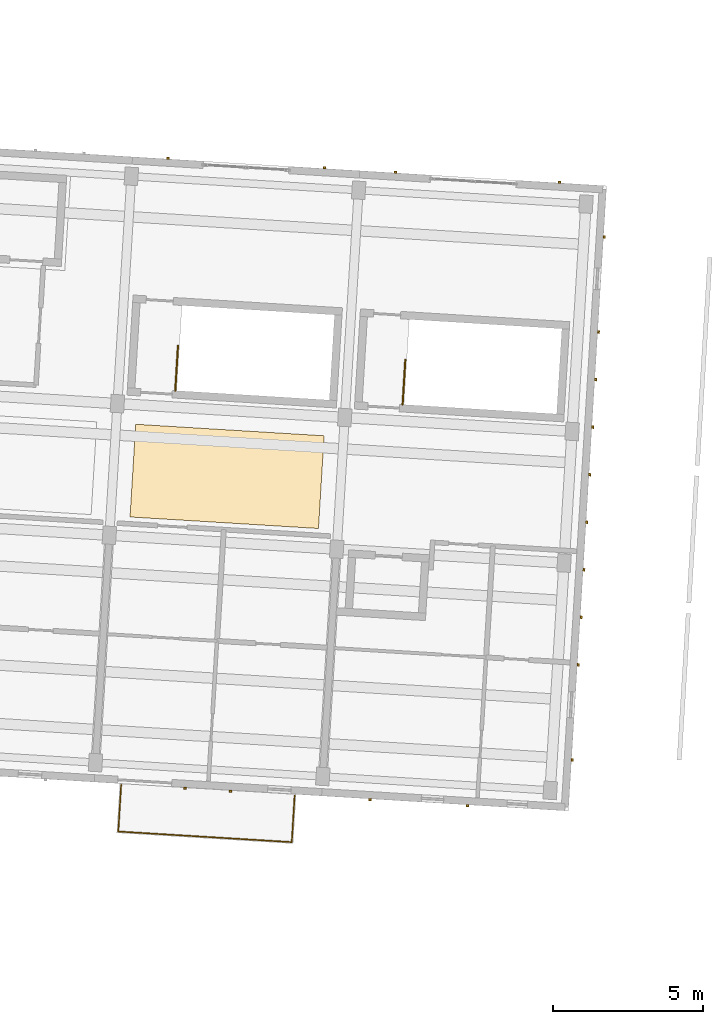
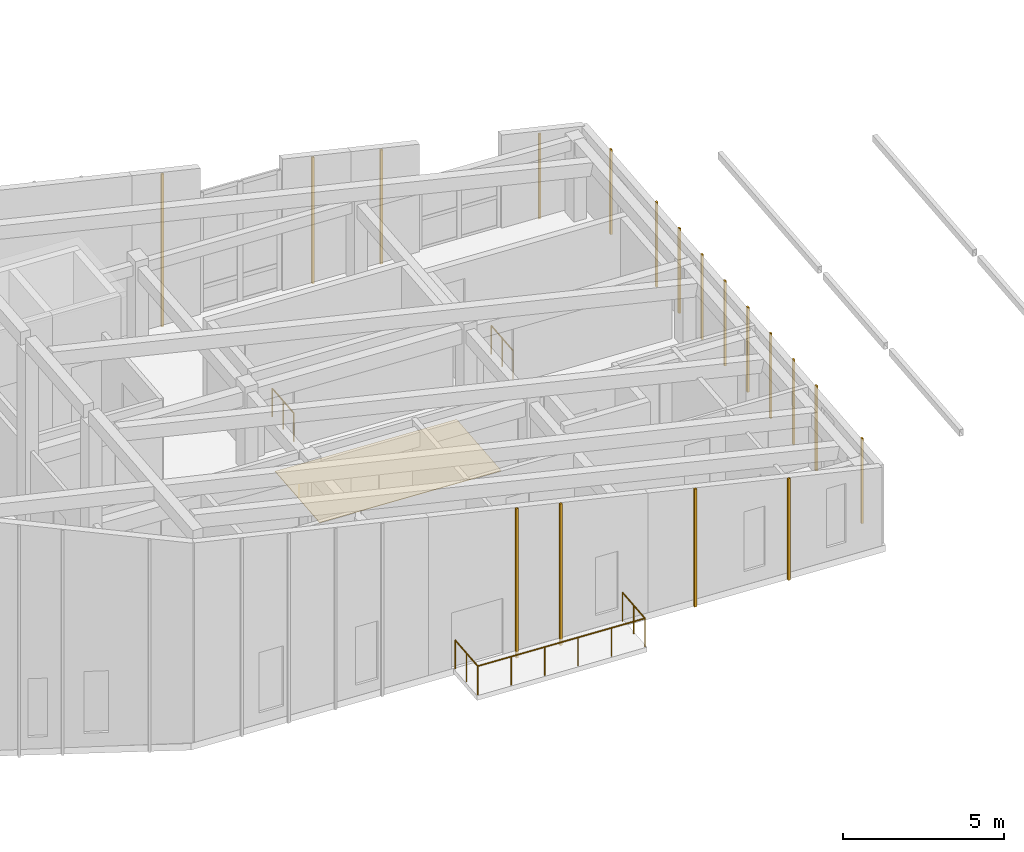
# One storey, part 38 of 45: 19 coverings, 3 railings.
"""IFC4 building model written with IfcOpenShell, lengths in metres."""

from ifc_helpers import new_model, si_unit, direction, frame, origin, origin_2d, place, context, subcontext, project, spatial, polyline, rectangle, circle, outline, extrude, material, layer, layer_set, type_object, element, save


model = new_model("IFC4")

# Units and contexts
model_context = context("Model", 3, precision=1e-05, world=origin(), true_north=direction((0.0, 1.0)))
body_context = subcontext(model_context, "Body", "Model", "MODEL_VIEW")
ifc_project = project(units=[si_unit("LENGTHUNIT", "METRE"), si_unit("AREAUNIT", "SQUARE_METRE"), si_unit("VOLUMEUNIT", "CUBIC_METRE"), si_unit("PLANEANGLEUNIT", "RADIAN"), si_unit("MASSUNIT", "GRAM", prefix="KILO")], contexts=[model_context])

# Site, building, storey
site_placement = place(None, origin())
site = spatial("IfcSite", under=ifc_project, at=site_placement, CompositionType="ELEMENT")
building_placement = place(site_placement, origin())
building = spatial("IfcBuilding", under=site, at=building_placement, Name="Kestramere Prow Commons", CompositionType="ELEMENT")
storey_placement = place(building_placement, frame((0.0, 0.0, 31.14990234375)))
storey = spatial("IfcBuildingStorey", under=building, at=storey_placement, Name="L09", CompositionType="ELEMENT", Elevation=31.14990234375)

# Coverings
ifc_material_1 = material(Name="Weathered Zinc-Titanium Standing-Seam Cladding")
ifc_layer_1 = layer(ifc_material_1, 0.074951171875)
ifc_layer_set_1 = layer_set([ifc_layer_1], Name="Weathered Zinc-Titanium Standing-Seam Cladding")
covering_type_1 = type_object("IfcCoveringType", Name="COV-CLAD-SEAM", PredefinedType="CLADDING", material=ifc_layer_set_1)
covering_1_placement = place(storey_placement, frame((71.595947265625, 45.081298828125, -0.25), z_axis=(0.0, 0.0, 1.0), x_axis=(-0.998134798422, 0.061048539535, 0.0)))
element("IfcCovering", 1, at=covering_1_placement, inside=storey, type_object=covering_type_1, Name="EW-C-L09-S-1 Standing-Seam Rib 2", PredefinedType="CLADDING", context=body_context, shape_type="SweptSolid", body=[
    extrude(rectangle(XDim=0.0849609375, YDim=0.06494140625, at=origin_2d()), origin(), (0.0, 0.0, 1.0), 5.370361328125),
])
covering_2_placement = place(storey_placement, frame((70.078857421875, 45.17431640625, -0.25), z_axis=(0.0, 0.0, 1.0), x_axis=(-0.998134798422, 0.061048539535, 0.0)))
element("IfcCovering", 2, at=covering_2_placement, inside=storey, type_object=covering_type_1, Name="EW-C-L09-S-1 Standing-Seam Rib 3", PredefinedType="CLADDING", context=body_context, shape_type="SweptSolid", body=[
    extrude(rectangle(XDim=0.0849609375, YDim=0.06494140625, at=origin_2d()), origin(), (0.0, 0.0, 1.0), 5.662841796875),
])
covering_3_placement = place(storey_placement, frame((79.49609375, 44.59814453125, -0.25), z_axis=(0.0, 0.0, 1.0), x_axis=(-0.998134798422, 0.061048539535, 0.0)))
element("IfcCovering", 3, at=covering_3_placement, inside=storey, type_object=covering_type_1, Name="EW-C-L09-S-2 Standing-Seam Rib 2", PredefinedType="CLADDING", context=body_context, shape_type="SweptSolid", body=[
    extrude(rectangle(XDim=0.0849609375, YDim=0.06494140625, at=origin_2d()), origin(), (0.0, 0.0, 1.0), 3.847412109375),
])
covering_4_placement = place(storey_placement, frame((76.252197265625, 44.796630859375, -0.25), z_axis=(0.0, 0.0, 1.0), x_axis=(-0.998134798422, 0.061048539535, 0.0)))
element("IfcCovering", 4, at=covering_4_placement, inside=storey, type_object=covering_type_1, Name="EW-C-L09-S-2 Standing-Seam Rib 4", PredefinedType="CLADDING", context=body_context, shape_type="SweptSolid", body=[
    extrude(rectangle(XDim=0.0849609375, YDim=0.06494140625, at=origin_2d()), origin(), (0.0, 0.0, 1.0), 4.47265625),
])
covering_5_placement = place(storey_placement, frame((69.509033203125, 66.203125, -0.25), z_axis=(0.0, 0.0, 1.0), x_axis=(0.998134798422, -0.061048539535, 0.0)))
element("IfcCovering", 5, at=covering_5_placement, inside=storey, type_object=covering_type_1, Name="EW-C-L09-NP-1-L Standing-Seam Rib 1", PredefinedType="CLADDING", context=body_context, shape_type="SweptSolid", body=[
    extrude(rectangle(XDim=0.0849609375, YDim=0.06494140625, at=origin_2d()), origin(), (0.0, 0.0, 1.0), 5.790771484375),
])
covering_6_placement = place(storey_placement, frame((74.724365234375, 65.88427734375, -0.25), z_axis=(0.0, 0.0, 1.0), x_axis=(0.998134798422, -0.061048539535, 0.0)))
element("IfcCovering", 6, at=covering_6_placement, inside=storey, type_object=covering_type_1, Name="EW-C-L09-NP-1-R Standing-Seam Rib 1", PredefinedType="CLADDING", context=body_context, shape_type="SweptSolid", body=[
    extrude(rectangle(XDim=0.0849609375, YDim=0.06494140625, at=origin_2d()), origin(), (0.0, 0.0, 1.0), 4.785400390625),
])
covering_7_placement = place(storey_placement, frame((77.094970703125, 65.7392578125, -0.25), z_axis=(0.0, 0.0, 1.0), x_axis=(0.998134798422, -0.061048539535, 0.0)))
element("IfcCovering", 7, at=covering_7_placement, inside=storey, type_object=covering_type_1, Name="EW-C-L09-NP-2-L Standing-Seam Rib 1", PredefinedType="CLADDING", context=body_context, shape_type="SweptSolid", body=[
    extrude(rectangle(XDim=0.0849609375, YDim=0.06494140625, at=origin_2d()), origin(), (0.0, 0.0, 1.0), 4.328369140625),
])
for number, where, z_axis, x_axis, name in (
    (8, (82.572021484375, 65.404296875, -0.25), (0.0, 0.0, 1.0), (0.998134798422, -0.061048539535, 0.0), "EW-C-L09-NP-2-R Standing-Seam Rib 1"),
    (9, (84.0654296875, 63.568603515625, -0.25), (0.0, 0.0, 1.0), (-0.061048539535, -0.998134798422, 0.0), "EW-C-L09-EAV Standing-Seam Rib 1"),
    (10, (83.871337890625, 60.397705078125, -0.25), (0.0, 0.0, 1.0), (-0.061048539535, -0.998134798422, 0.0), "EW-C-L09-EAV Standing-Seam Rib 3"),
    (11, (83.7744140625, 58.812255859375, -0.25), (0.0, 0.0, 1.0), (-0.061048539535, -0.998134798422, 0.0), "EW-C-L09-EAV Standing-Seam Rib 4"),
    (12, (83.677490234375, 57.226806640625, -0.25), (0.0, 0.0, 1.0), (-0.061048539535, -0.998134798422, 0.0), "EW-C-L09-EAV Standing-Seam Rib 5"),
    (13, (83.58056640625, 55.64111328125, -0.25), (0.0, 0.0, 1.0), (-0.061048539535, -0.998134798422, 0.0), "EW-C-L09-EAV Standing-Seam Rib 6"),
    (14, (83.4833984375, 54.0556640625, -0.25), (0.0, 0.0, 1.0), (-0.061048539535, -0.998134798422, 0.0), "EW-C-L09-EAV Standing-Seam Rib 7"),
    (15, (83.386474609375, 52.47021484375, -0.25), (0.0, 0.0, 1.0), (-0.061048539535, -0.998134798422, 0.0), "EW-C-L09-EAV Standing-Seam Rib 8"),
    (16, (83.28955078125, 50.884765625, -0.25), (0.0, 0.0, 1.0), (-0.061048539535, -0.998134798422, 0.0), "EW-C-L09-EAV Standing-Seam Rib 9"),
    (17, (83.192626953125, 49.29931640625, -0.25), (0.0, 0.0, 1.0), (-0.061048539535, -0.998134798422, 0.0), "EW-C-L09-EAV Standing-Seam Rib 10"),
    (18, (82.99853515625, 46.128173828125, -0.25), (0.0, 0.0, 1.0), (-0.061048539535, -0.998134798422, 0.0), "EW-C-L09-EAV Standing-Seam Rib 12"),
):
    element("IfcCovering", number, at=place(storey_placement, frame(where, z_axis=z_axis, x_axis=x_axis)), inside=storey, type_object=covering_type_1, Name=name, PredefinedType="CLADDING", context=body_context, shape_type="SweptSolid", body=[
        extrude(rectangle(XDim=0.0849609375, YDim=0.06494140625, at=origin_2d()), origin(), (0.0, 0.0, 1.0), 3.22216796875),
    ])
ifc_material_2 = material(Name="Honed Cementitious Terrazzo Tile")
ifc_layer_2 = layer(ifc_material_2, 0.02001953125)
ifc_layer_set_2 = layer_set([ifc_layer_2], Name="Honed Cementitious Terrazzo Tile")
covering_type_2 = type_object("IfcCoveringType", Name="COV-FLOOR-TERRAZZO", PredefinedType="FLOORING", material=ifc_layer_set_2)
covering_8_placement = place(storey_placement, origin())
element("IfcCovering", 19, at=covering_8_placement, inside=storey, type_object=covering_type_2, Name="Block C L09 Corridor Terrazzo Flooring 2", PredefinedType="FLOORING", context=body_context, shape_type="SweptSolid", body=[
    extrude(outline(polyline([(68.23828125, 54.23095703125), (74.526611328125, 53.846435546875), (74.7158203125, 56.940673828125), (68.427490234375, 57.3251953125), (68.23828125, 54.23095703125)])), origin(), (0.0, 0.0, 1.0), 0.02001953125),
])

# Railings
ifc_material_3 = material(Name="Powder-Coated Aluminium 6063-T6", Category="aluminium")
railing_type_1 = type_object("IfcRailingType", Name="GRD-BALC-1100", PredefinedType="BALUSTRADE", material=ifc_material_3)
railing_placement = place(storey_placement, frame((67.942138671875, 45.29248046875, 0.0)))
element("IfcRailing", 20, at=railing_placement, inside=storey, type_object=railing_type_1, Name="Block C L09 Balcony Guardrail 2", PredefinedType="BALUSTRADE", context=body_context, shape_type="SweptSolid", body=[
    extrude(circle(Radius=0.02392578125, at=origin_2d()), frame((0.0, 0.0, 1.076171875), z_axis=(-0.061189609383, -0.998126160214, 0.0), x_axis=(0.998126160214, -0.061189609383, 0.0)), (0.0, 0.0, 1.0), 1.56005859375),
    extrude(circle(Radius=0.02392578125, at=origin_2d()), frame((-0.095458984375, -1.55712890625, 1.076171875), z_axis=(0.998133128857, -0.061075830556, 0.0), x_axis=(0.061075830556, 0.998133128857, 0.0)), (0.0, 0.0, 1.0), 5.800048828125),
    extrude(circle(Radius=0.02392578125, at=origin_2d()), frame((5.69384765625, -1.911376953125, 1.076171875), z_axis=(0.061033697925, 0.998135706063, 0.0), x_axis=(-0.998135706063, 0.061033697925, 0.0)), (0.0, 0.0, 1.0), 1.56005859375),
    extrude(circle(Radius=0.02099609375, at=origin_2d()), origin(), (0.0, 0.0, 1.0), 1.052001953125),
    extrude(circle(Radius=0.02099609375, at=origin_2d()), frame((-0.0478515625, -0.778564453125, 0.0)), (0.0, 0.0, 1.0), 1.052001953125),
    extrude(circle(Radius=0.02099609375, at=origin_2d()), frame((-0.095458984375, -1.55712890625, 0.0)), (0.0, 0.0, 1.0), 1.052001953125),
    extrude(circle(Radius=0.02099609375, at=origin_2d()), frame((1.0625, -1.6279296875, 0.0)), (0.0, 0.0, 1.0), 1.052001953125),
    extrude(circle(Radius=0.02099609375, at=origin_2d()), frame((2.22021484375, -1.69873046875, 0.0)), (0.0, 0.0, 1.0), 1.052001953125),
    extrude(circle(Radius=0.02099609375, at=origin_2d()), frame((3.378173828125, -1.769775390625, 0.0)), (0.0, 0.0, 1.0), 1.052001953125),
    extrude(circle(Radius=0.02099609375, at=origin_2d()), frame((4.535888671875, -1.840576171875, 0.0)), (0.0, 0.0, 1.0), 1.052001953125),
    extrude(circle(Radius=0.02099609375, at=origin_2d()), frame((5.69384765625, -1.911376953125, 0.0)), (0.0, 0.0, 1.0), 1.052001953125),
    extrude(circle(Radius=0.02099609375, at=origin_2d()), frame((5.741455078125, -1.1328125, 0.0)), (0.0, 0.0, 1.0), 1.052001953125),
    extrude(circle(Radius=0.02099609375, at=origin_2d()), frame((5.7890625, -0.354248046875, 0.0)), (0.0, 0.0, 1.0), 1.052001953125),
])
ifc_material_4 = material(Name="Galvanised Steel S275JR", Category="steel")
railing_type_2 = type_object("IfcRailingType", Name="RL-ST-GR-1100", PredefinedType="GUARDRAIL", material=ifc_material_4)
for number, where, name in (
    (21, (69.74853515625, 58.446533203125, 0.0), "L09 ST-C1 top well guard 1"),
    (22, (77.334228515625, 57.982666015625, 0.0), "L09 ST-C2 top well guard 1"),
):
    element("IfcRailing", number, at=place(storey_placement, frame(where)), inside=storey, type_object=railing_type_2, Name=name, PredefinedType="GUARDRAIL", context=body_context, shape_type="SweptSolid", body=[
        extrude(circle(Radius=0.02392578125, at=origin_2d()), frame((0.0, 0.0, 1.076171875), z_axis=(0.061030647273, 0.998135892599, 0.0), x_axis=(-0.998135892599, 0.061030647273, 0.0)), (0.0, 0.0, 1.0), 1.5),
        extrude(circle(Radius=0.02099609375, at=origin_2d()), origin(), (0.0, 0.0, 1.0), 1.052001953125),
        extrude(circle(Radius=0.02099609375, at=origin_2d()), frame((0.0458984375, 0.74853515625, 0.0)), (0.0, 0.0, 1.0), 1.052001953125),
        extrude(circle(Radius=0.02099609375, at=origin_2d()), frame((0.091552734375, 1.497314453125, 0.0)), (0.0, 0.0, 1.0), 1.052001953125),
    ])

save(model, "model.ifc")
